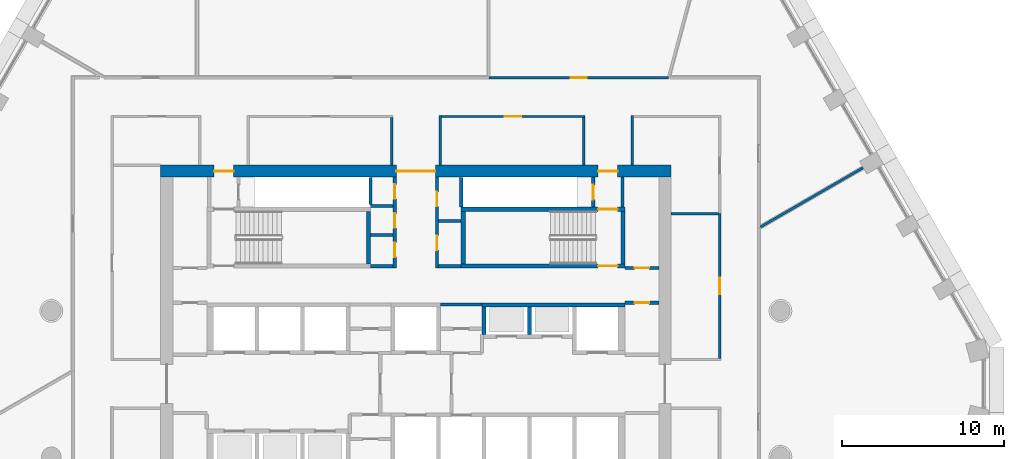
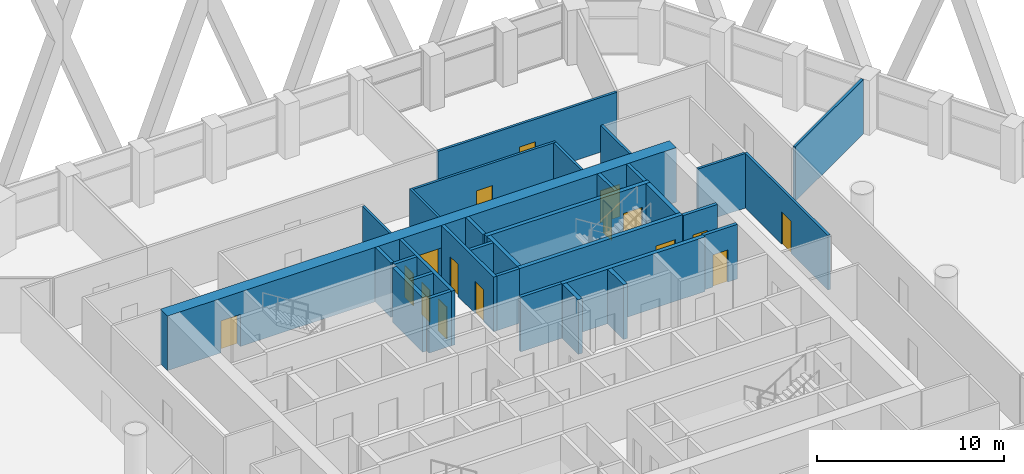
# One storey, part 13 of 24: 32 walls, 16 doors, 16 openings.
"""IFC4 building model written with IfcOpenShell, lengths in metres."""

from ifc_helpers import new_model, si_unit, direction, frame, frame_2d, origin, place, context, subcontext, project, spatial, polyline, rectangle, outline, extrude, material, layer, layer_set, type_object, element, fill, save


model = new_model("IFC4")

# Units and contexts
model_context = context("Model", 3, precision=1e-05, world=origin(), true_north=direction((0.0, 1.0)))
body_context = subcontext(model_context, "Body", "Model", "MODEL_VIEW")
ifc_project = project(units=[si_unit("LENGTHUNIT", "METRE"), si_unit("AREAUNIT", "SQUARE_METRE"), si_unit("VOLUMEUNIT", "CUBIC_METRE"), si_unit("PLANEANGLEUNIT", "RADIAN"), si_unit("MASSUNIT", "GRAM", prefix="KILO")], contexts=[model_context])

# Site, building, storey
site_placement = place(None, origin())
site = spatial("IfcSite", under=ifc_project, at=site_placement, CompositionType="ELEMENT")
building_placement = place(site_placement, origin())
building = spatial("IfcBuilding", under=site, at=building_placement, Name="Dhurran Vertical Campus", CompositionType="ELEMENT")
storey_placement = place(building_placement, frame((0.0, 0.0, 132.60009765625)))
storey = spatial("IfcBuildingStorey", under=building, at=storey_placement, Name="L32", CompositionType="ELEMENT", Elevation=132.60009765625)

# Wall, openings, doors
ifc_material_1 = material(Name="Concrete C60/75", Category="concrete")
ifc_layer_1 = layer(ifc_material_1, 0.75)
ifc_layer_set_1 = layer_set([ifc_layer_1], Name="Concrete C60/75")
wall_type_1 = type_object("IfcWallType", Name="co-CORE-WALL-C1-750", PredefinedType="SHEAR", material=ifc_layer_set_1)
wall_1_placement = place(storey_placement, frame((-15.75, 13.125, 0.0), z_axis=(0.0, 0.0, 1.0), x_axis=(1.0, 0.0, 0.0)))
wall_1 = element("IfcWall", 1, at=wall_1_placement, inside=storey, type_object=wall_type_1, Name="Core wall N L32", PredefinedType="SHEAR", context=body_context, shape_type="SweptSolid", body=[
    extrude(rectangle(XDim=31.5, YDim=0.75, at=frame_2d((15.75, 0.0))), origin(), (0.0, 0.0, 1.0), 3.574951171875),
])
opening_1_placement = place(wall_1_placement, frame((14.550048828125, 0.0, 0.0)))
opening_1 = element("IfcOpeningElement", 2, at=opening_1_placement, cuts=wall_1, Name="Opening CV1", PredefinedType="OPENING", context=body_context, shape_type="SweptSolid", body=[
    extrude(rectangle(XDim=2.39990234375, YDim=2.10009765625, at=frame_2d((1.199951171875, 1.050048828125))), frame((0.0, 0.385009765625, 0.0), z_axis=(0.0, -1.0, 0.0), x_axis=(1.0, 0.0, 0.0)), (0.0, 0.0, 1.0), 0.77001953125),
])
opening_2_placement = place(wall_1_placement, frame((3.300048828125, 0.0, 0.0)))
opening_2 = element("IfcOpeningElement", 3, at=opening_2_placement, cuts=wall_1, Name="Opening XD1", PredefinedType="OPENING", context=body_context, shape_type="SweptSolid", body=[
    extrude(rectangle(XDim=1.199951171875, YDim=2.10009765625, at=frame_2d((0.60009765625, 1.050048828125))), frame((0.0, 0.385009765625, 0.0), z_axis=(0.0, -1.0, 0.0), x_axis=(1.0, 0.0, 0.0)), (0.0, 0.0, 1.0), 0.77001953125),
])
opening_3_placement = place(wall_1_placement, frame((27.0, 0.0, 0.0)))
opening_3 = element("IfcOpeningElement", 4, at=opening_3_placement, cuts=wall_1, Name="Opening XD2", PredefinedType="OPENING", context=body_context, shape_type="SweptSolid", body=[
    extrude(rectangle(XDim=1.199951171875, YDim=2.10009765625, at=frame_2d((0.60009765625, 1.050048828125))), frame((0.0, 0.385009765625, 0.0), z_axis=(0.0, -1.0, 0.0), x_axis=(1.0, 0.0, 0.0)), (0.0, 0.0, 1.0), 0.77001953125),
])
ifc_material_2 = material(Name="Fire-rated glazed door set")
door_type_1 = type_object("IfcDoorType", Name="co-D-LOBBY 2400x2100", OperationType="DOUBLE_DOOR_DOUBLE_SWING", PredefinedType="DOOR", material=ifc_material_2)
door_1_placement = place(opening_1_placement, origin())
door_1 = element("IfcDoor", 5, at=door_1_placement, inside=storey, type_object=door_type_1, Name="Core vestibule door N L32", OperationType="DOUBLE_DOOR_DOUBLE_SWING", OverallHeight=2.10009765625, OverallWidth=2.39990234375, PredefinedType="DOOR", context=body_context, shape_type="SweptSolid", body=[
    extrude(rectangle(XDim=2.39990234375, YDim=2.10009765625, at=frame_2d((1.199951171875, 1.050048828125))), frame((0.0, 0.02490234375, 0.0), z_axis=(0.0, -1.0, 0.0), x_axis=(1.0, 0.0, 0.0)), (0.0, 0.0, 1.0), 0.050048828125),
])
fill(opening_1, door_1)
ifc_material_3 = material(Name="Fire-rated steel door set", Category="steel")
door_type_2 = type_object("IfcDoorType", Name="co-D-STAIR-EXIT 1200x2100", OperationType="SINGLE_SWING_RIGHT", PredefinedType="DOOR", material=ifc_material_3)
door_2_placement = place(opening_2_placement, origin())
door_2 = element("IfcDoor", 6, at=door_2_placement, inside=storey, type_object=door_type_2, Name="Stair ST1 exit door L32", OperationType="SINGLE_SWING_RIGHT", OverallHeight=2.10009765625, OverallWidth=1.199951171875, PredefinedType="DOOR", context=body_context, shape_type="SweptSolid", body=[
    extrude(rectangle(XDim=1.199951171875, YDim=2.10009765625, at=frame_2d((0.60009765625, 1.050048828125))), frame((0.0, 0.02490234375, 0.0), z_axis=(0.0, -1.0, 0.0), x_axis=(1.0, 0.0, 0.0)), (0.0, 0.0, 1.0), 0.050048828125),
])
fill(opening_2, door_2)
door_3_placement = place(opening_3_placement, origin())
door_3 = element("IfcDoor", 7, at=door_3_placement, inside=storey, type_object=door_type_2, Name="Stair ST2 exit door L32", OperationType="SINGLE_SWING_RIGHT", OverallHeight=2.10009765625, OverallWidth=1.199951171875, PredefinedType="DOOR", context=body_context, shape_type="SweptSolid", body=[
    extrude(rectangle(XDim=1.199951171875, YDim=2.10009765625, at=frame_2d((0.60009765625, 1.050048828125))), frame((0.0, 0.02490234375, 0.0), z_axis=(0.0, -1.0, 0.0), x_axis=(1.0, 0.0, 0.0)), (0.0, 0.0, 1.0), 0.050048828125),
])
fill(opening_3, door_3)

# Walls
ifc_material_4 = material(Name="Fire-rated masonry blockwork", Category="masonry")
ifc_layer_2 = layer(ifc_material_4, 0.199951171875)
ifc_layer_set_2 = layer_set([ifc_layer_2], Name="Fire-rated masonry blockwork")
wall_type_2 = type_object("IfcWallType", Name="co-FIRE-PARTITION-200", PredefinedType="PARTITIONING", material=ifc_layer_set_2)
for number, where, z_axis, x_axis, name in (
    (8, (-2.800048828125, 7.25, 0.0), (0.0, 0.0, 1.0), (1.0, 0.0, 0.0), "Core partition sl-NW-S L32"),
    (9, (-2.800048828125, 9.18603515625, 0.0), (0.0, 0.0, 1.0), (1.0, 0.0, 0.0), "Core partition sl-NW-cut0 L32"),
    (10, (-2.800048828125, 10.968017578125, 0.0), (0.0, 0.0, 1.0), (1.0, 0.0, 0.0), "Core partition sl-NW-cut1 L32"),
    (11, (1.39990234375, 7.25, 0.0), (0.0, 0.0, 1.0), (1.0, 0.0, 0.0), "Core partition sl-NE-S L32"),
    (12, (1.39990234375, 10.050048828125, 0.0), (0.0, 0.0, 1.0), (1.0, 0.0, 0.0), "Core partition sl-NE-cut0 L32"),
):
    element("IfcWall", number, at=place(storey_placement, frame(where, z_axis=z_axis, x_axis=x_axis)), inside=storey, type_object=wall_type_2, Name=name, PredefinedType="PARTITIONING", context=body_context, shape_type="SweptSolid", body=[
        extrude(rectangle(XDim=1.400146484375, YDim=0.199951171875, at=frame_2d((0.7001953125, 0.0))), origin(), (0.0, 0.0, 1.0), 3.574951171875),
    ])

# Wall, openings, doors
wall_2_placement = place(storey_placement, frame((-1.300048828125, 7.14990234375, 0.0), z_axis=(0.0, 0.0, 1.0), x_axis=(0.0, 1.0, 0.0)))
wall_2 = element("IfcWall", 13, at=wall_2_placement, inside=storey, type_object=wall_type_2, Name="Core partition vest-NW L32", PredefinedType="PARTITIONING", context=body_context, shape_type="SweptSolid", body=[
    extrude(rectangle(XDim=5.60009765625, YDim=0.199951171875, at=frame_2d((2.800048828125, 0.0))), origin(), (0.0, 0.0, 1.0), 3.574951171875),
])
opening_4_placement = place(wall_2_placement, frame((0.66796875, 0.0, 0.0)))
opening_4 = element("IfcOpeningElement", 14, at=opening_4_placement, cuts=wall_2, Name="Opening T09-C6", PredefinedType="OPENING", context=body_context, shape_type="SweptSolid", body=[
    extrude(rectangle(XDim=0.89990234375, YDim=2.10009765625, at=frame_2d((0.449951171875, 1.050048828125))), frame((0.0, 0.10986328125, 0.0), z_axis=(0.0, -1.0, 0.0), x_axis=(1.0, 0.0, 0.0)), (0.0, 0.0, 1.0), 0.219970703125),
])
opening_5_placement = place(wall_2_placement, frame((2.47705078125, 0.0, 0.0)))
opening_5 = element("IfcOpeningElement", 15, at=opening_5_placement, cuts=wall_2, Name="Opening T09-C7", PredefinedType="OPENING", context=body_context, shape_type="SweptSolid", body=[
    extrude(rectangle(XDim=0.89990234375, YDim=2.10009765625, at=frame_2d((0.449951171875, 1.050048828125))), frame((0.0, 0.10986328125, 0.0), z_axis=(0.0, -1.0, 0.0), x_axis=(1.0, 0.0, 0.0)), (0.0, 0.0, 1.0), 0.219970703125),
])
opening_6_placement = place(wall_2_placement, frame((4.259033203125, 0.0, 0.0)))
opening_6 = element("IfcOpeningElement", 16, at=opening_6_placement, cuts=wall_2, Name="Opening T09-C8", PredefinedType="OPENING", context=body_context, shape_type="SweptSolid", body=[
    extrude(rectangle(XDim=0.89990234375, YDim=2.10009765625, at=frame_2d((0.449951171875, 1.050048828125))), frame((0.0, 0.10986328125, 0.0), z_axis=(0.0, -1.0, 0.0), x_axis=(1.0, 0.0, 0.0)), (0.0, 0.0, 1.0), 0.219970703125),
])
ifc_material_5 = material(Name="Fire-rated timber door set", Category="wood")
door_type_3 = type_object("IfcDoorType", Name="co-D-ROOM 900x2100", OperationType="SINGLE_SWING_LEFT", PredefinedType="DOOR", material=ifc_material_5)
door_4_placement = place(opening_4_placement, origin())
door_4 = element("IfcDoor", 17, at=door_4_placement, inside=storey, type_object=door_type_3, Name="Cleaner's store door L32", OperationType="SINGLE_SWING_LEFT", OverallHeight=2.10009765625, OverallWidth=0.89990234375, PredefinedType="DOOR", context=body_context, shape_type="SweptSolid", body=[
    extrude(rectangle(XDim=0.89990234375, YDim=2.10009765625, at=frame_2d((0.449951171875, 1.050048828125))), frame((0.0, 0.02490234375, 0.0), z_axis=(0.0, -1.0, 0.0), x_axis=(1.0, 0.0, 0.0)), (0.0, 0.0, 1.0), 0.050048828125),
])
fill(opening_4, door_4)
door_5_placement = place(opening_5_placement, origin())
door_5 = element("IfcDoor", 18, at=door_5_placement, inside=storey, type_object=door_type_3, Name="Store door L32", OperationType="SINGLE_SWING_LEFT", OverallHeight=2.10009765625, OverallWidth=0.89990234375, PredefinedType="DOOR", context=body_context, shape_type="SweptSolid", body=[
    extrude(rectangle(XDim=0.89990234375, YDim=2.10009765625, at=frame_2d((0.449951171875, 1.050048828125))), frame((0.0, 0.02490234375, 0.0), z_axis=(0.0, -1.0, 0.0), x_axis=(1.0, 0.0, 0.0)), (0.0, 0.0, 1.0), 0.050048828125),
])
fill(opening_5, door_5)
door_6_placement = place(opening_6_placement, origin())
door_6 = element("IfcDoor", 19, at=door_6_placement, inside=storey, type_object=door_type_3, Name="Housekeeping store door L32", OperationType="SINGLE_SWING_LEFT", OverallHeight=2.10009765625, OverallWidth=0.89990234375, PredefinedType="DOOR", context=body_context, shape_type="SweptSolid", body=[
    extrude(rectangle(XDim=0.89990234375, YDim=2.10009765625, at=frame_2d((0.449951171875, 1.050048828125))), frame((0.0, 0.02490234375, 0.0), z_axis=(0.0, -1.0, 0.0), x_axis=(1.0, 0.0, 0.0)), (0.0, 0.0, 1.0), 0.050048828125),
])
fill(opening_6, door_6)

wall_3_placement = place(storey_placement, frame((1.300048828125, 7.14990234375, 0.0), z_axis=(0.0, 0.0, 1.0), x_axis=(0.0, 1.0, 0.0)))
wall_3 = element("IfcWall", 20, at=wall_3_placement, inside=storey, type_object=wall_type_2, Name="Core partition vest-NE L32", PredefinedType="PARTITIONING", context=body_context, shape_type="SweptSolid", body=[
    extrude(rectangle(XDim=5.60009765625, YDim=0.199951171875, at=frame_2d((2.800048828125, 0.0))), origin(), (0.0, 0.0, 1.0), 3.574951171875),
])
opening_7_placement = place(wall_3_placement, frame((1.10009765625, 0.0, 0.0)))
opening_7 = element("IfcOpeningElement", 21, at=opening_7_placement, cuts=wall_3, Name="Opening T09-C9", PredefinedType="OPENING", context=body_context, shape_type="SweptSolid", body=[
    extrude(rectangle(XDim=0.89990234375, YDim=2.10009765625, at=frame_2d((0.449951171875, 1.050048828125))), frame((0.0, 0.10986328125, 0.0), z_axis=(0.0, -1.0, 0.0), x_axis=(1.0, 0.0, 0.0)), (0.0, 0.0, 1.0), 0.219970703125),
])
opening_8_placement = place(wall_3_placement, frame((3.800048828125, 0.0, 0.0)))
opening_8 = element("IfcOpeningElement", 22, at=opening_8_placement, cuts=wall_3, Name="Opening T09-C10", PredefinedType="OPENING", context=body_context, shape_type="SweptSolid", body=[
    extrude(rectangle(XDim=0.89990234375, YDim=2.10009765625, at=frame_2d((0.449951171875, 1.050048828125))), frame((0.0, 0.10986328125, 0.0), z_axis=(0.0, -1.0, 0.0), x_axis=(1.0, 0.0, 0.0)), (0.0, 0.0, 1.0), 0.219970703125),
])
door_7_placement = place(opening_7_placement, origin())
door_7 = element("IfcDoor", 23, at=door_7_placement, inside=storey, type_object=door_type_3, Name="Water riser door L32", OperationType="SINGLE_SWING_LEFT", OverallHeight=2.10009765625, OverallWidth=0.89990234375, PredefinedType="DOOR", context=body_context, shape_type="SweptSolid", body=[
    extrude(rectangle(XDim=0.89990234375, YDim=2.10009765625, at=frame_2d((0.449951171875, 1.050048828125))), frame((0.0, 0.02490234375, 0.0), z_axis=(0.0, -1.0, 0.0), x_axis=(1.0, 0.0, 0.0)), (0.0, 0.0, 1.0), 0.050048828125),
])
fill(opening_7, door_7)
door_8_placement = place(opening_8_placement, origin())
door_8 = element("IfcDoor", 24, at=door_8_placement, inside=storey, type_object=door_type_3, Name="Plant room door L32", OperationType="SINGLE_SWING_LEFT", OverallHeight=2.10009765625, OverallWidth=0.89990234375, PredefinedType="DOOR", context=body_context, shape_type="SweptSolid", body=[
    extrude(rectangle(XDim=0.89990234375, YDim=2.10009765625, at=frame_2d((0.449951171875, 1.050048828125))), frame((0.0, 0.02490234375, 0.0), z_axis=(0.0, -1.0, 0.0), x_axis=(1.0, 0.0, 0.0)), (0.0, 0.0, 1.0), 0.050048828125),
])
fill(opening_8, door_8)

# Wall
wall_4_placement = place(storey_placement, frame((12.75, 10.89990234375, 0.0), z_axis=(0.0, 0.0, 1.0), x_axis=(0.0, 1.0, 0.0)))
element("IfcWall", 25, at=wall_4_placement, inside=storey, type_object=wall_type_2, Name="Core partition pass-ST2-o L32", PredefinedType="PARTITIONING", context=body_context, shape_type="SweptSolid", body=[
    extrude(rectangle(XDim=1.85009765625, YDim=0.199951171875, at=frame_2d((0.925048828125, 0.0))), origin(), (0.0, 0.0, 1.0), 3.574951171875),
])

# Wall, opening, door
wall_5_placement = place(storey_placement, frame((10.949951171875, 10.89990234375, 0.0), z_axis=(0.0, 0.0, 1.0), x_axis=(0.0, 1.0, 0.0)))
wall_5 = element("IfcWall", 26, at=wall_5_placement, inside=storey, type_object=wall_type_2, Name="Core partition pass-ST2-i L32", PredefinedType="PARTITIONING", context=body_context, shape_type="SweptSolid", body=[
    extrude(rectangle(XDim=1.85009765625, YDim=0.199951171875, at=frame_2d((0.925048828125, 0.0))), origin(), (0.0, 0.0, 1.0), 3.574951171875),
])
opening_9_placement = place(wall_5_placement, frame((0.47509765625, 0.0, 0.0)))
opening_9 = element("IfcOpeningElement", 27, at=opening_9_placement, cuts=wall_5, Name="Opening T09-C12", PredefinedType="OPENING", context=body_context, shape_type="SweptSolid", body=[
    extrude(rectangle(XDim=0.89990234375, YDim=2.10009765625, at=frame_2d((0.449951171875, 1.050048828125))), frame((0.0, 0.10986328125, 0.0), z_axis=(0.0, -1.0, 0.0), x_axis=(1.0, 0.0, 0.0)), (0.0, 0.0, 1.0), 0.219970703125),
])
door_9_placement = place(opening_9_placement, origin())
door_9 = element("IfcDoor", 28, at=door_9_placement, inside=storey, type_object=door_type_3, Name="Riser room door L32", OperationType="SINGLE_SWING_LEFT", OverallHeight=2.10009765625, OverallWidth=0.89990234375, PredefinedType="DOOR", context=body_context, shape_type="SweptSolid", body=[
    extrude(rectangle(XDim=0.89990234375, YDim=2.10009765625, at=frame_2d((0.449951171875, 1.050048828125))), frame((0.0, 0.02490234375, 0.0), z_axis=(0.0, -1.0, 0.0), x_axis=(1.0, 0.0, 0.0)), (0.0, 0.0, 1.0), 0.050048828125),
])
fill(opening_9, door_9)

wall_6_placement = place(storey_placement, frame((12.89990234375, 7.14990234375, 0.0), z_axis=(0.0, 0.0, 1.0), x_axis=(1.0, 0.0, 0.0)))
wall_6 = element("IfcWall", 29, at=wall_6_placement, inside=storey, type_object=wall_type_2, Name="Core partition en-NE-w L32", PredefinedType="PARTITIONING", context=body_context, shape_type="SweptSolid", body=[
    extrude(rectangle(XDim=2.10009765625, YDim=0.199951171875, at=frame_2d((1.050048828125, 0.0))), origin(), (0.0, 0.0, 1.0), 3.574951171875),
])
opening_10_placement = place(wall_6_placement, frame((0.60009765625, 0.0, 0.0)))
opening_10 = element("IfcOpeningElement", 30, at=opening_10_placement, cuts=wall_6, Name="Opening T09-C17", PredefinedType="OPENING", context=body_context, shape_type="SweptSolid", body=[
    extrude(rectangle(XDim=0.89990234375, YDim=2.10009765625, at=frame_2d((0.449951171875, 1.050048828125))), frame((0.0, 0.10986328125, 0.0), z_axis=(0.0, -1.0, 0.0), x_axis=(1.0, 0.0, 0.0)), (0.0, 0.0, 1.0), 0.219970703125),
])
door_10_placement = place(opening_10_placement, origin())
door_10 = element("IfcDoor", 31, at=door_10_placement, inside=storey, type_object=door_type_3, Name="Server room door L32", OperationType="SINGLE_SWING_LEFT", OverallHeight=2.10009765625, OverallWidth=0.89990234375, PredefinedType="DOOR", context=body_context, shape_type="SweptSolid", body=[
    extrude(rectangle(XDim=0.89990234375, YDim=2.10009765625, at=frame_2d((0.449951171875, 1.050048828125))), frame((0.0, 0.02490234375, 0.0), z_axis=(0.0, -1.0, 0.0), x_axis=(1.0, 0.0, 0.0)), (0.0, 0.0, 1.0), 0.050048828125),
])
fill(opening_10, door_10)

wall_7_placement = place(storey_placement, frame((12.89990234375, 5.0, 0.0), z_axis=(0.0, 0.0, 1.0), x_axis=(1.0, 0.0, 0.0)))
wall_7 = element("IfcWall", 32, at=wall_7_placement, inside=storey, type_object=wall_type_2, Name="Core partition es-NE-w L32", PredefinedType="PARTITIONING", context=body_context, shape_type="SweptSolid", body=[
    extrude(rectangle(XDim=2.10009765625, YDim=0.199951171875, at=frame_2d((1.050048828125, 0.0))), origin(), (0.0, 0.0, 1.0), 3.574951171875),
])
opening_11_placement = place(wall_7_placement, frame((0.60009765625, 0.0, 0.0)))
opening_11 = element("IfcOpeningElement", 33, at=opening_11_placement, cuts=wall_7, Name="Opening T09-C18", PredefinedType="OPENING", context=body_context, shape_type="SweptSolid", body=[
    extrude(rectangle(XDim=0.89990234375, YDim=2.10009765625, at=frame_2d((0.449951171875, 1.050048828125))), frame((0.0, 0.10986328125, 0.0), z_axis=(0.0, -1.0, 0.0), x_axis=(1.0, 0.0, 0.0)), (0.0, 0.0, 1.0), 0.219970703125),
])
door_11_placement = place(opening_11_placement, origin())
door_11 = element("IfcDoor", 34, at=door_11_placement, inside=storey, type_object=door_type_3, Name="Communications room door L32", OperationType="SINGLE_SWING_LEFT", OverallHeight=2.10009765625, OverallWidth=0.89990234375, PredefinedType="DOOR", context=body_context, shape_type="SweptSolid", body=[
    extrude(rectangle(XDim=0.89990234375, YDim=2.10009765625, at=frame_2d((0.449951171875, 1.050048828125))), frame((0.0, 0.02490234375, 0.0), z_axis=(0.0, -1.0, 0.0), x_axis=(1.0, 0.0, 0.0)), (0.0, 0.0, 1.0), 0.050048828125),
])
fill(opening_11, door_11)

# Walls
wall_8_placement = place(storey_placement, frame((1.52490234375, 4.89990234375, 0.0), z_axis=(0.0, 0.0, 1.0), x_axis=(1.0, 0.0, 0.0)))
element("IfcWall", 35, at=wall_8_placement, inside=storey, type_object=wall_type_2, Name="Core partition fr-N1-b L32", PredefinedType="PARTITIONING", context=body_context, shape_type="SweptSolid", body=[
    extrude(rectangle(XDim=2.550048828125, YDim=0.199951171875, at=frame_2d((1.27490234375, 0.0))), origin(), (0.0, 0.0, 1.0), 3.574951171875),
])
wall_9_placement = place(storey_placement, frame((-2.800048828125, 11.069091796875, 0.0), z_axis=(0.0, 0.0, 1.0), x_axis=(0.0, 1.0, 0.0)))
element("IfcWall", 36, at=wall_9_placement, inside=storey, type_object=wall_type_2, Name="Riser enclosure wall L32", PredefinedType="PARTITIONING", context=body_context, shape_type="SweptSolid", body=[
    extrude(rectangle(XDim=1.679931640625, YDim=0.199951171875, at=frame_2d((0.83984375, 0.0))), origin(), (0.0, 0.0, 1.0), 3.574951171875),
])
wall_10_placement = place(storey_placement, frame((2.800048828125, 12.7490234375, 0.0), z_axis=(0.0, 0.0, 1.0), x_axis=(0.0, -1.0, 0.0)))
element("IfcWall", 37, at=wall_10_placement, inside=storey, type_object=wall_type_2, Name="Riser enclosure wall L32", PredefinedType="PARTITIONING", context=body_context, shape_type="SweptSolid", body=[
    extrude(rectangle(XDim=1.84814453125, YDim=0.199951171875, at=frame_2d((0.924072265625, 0.0))), origin(), (0.0, 0.0, 1.0), 3.574951171875),
])
ifc_material_6 = material(Name="Concrete C50/60", Category="concrete")
ifc_layer_3 = layer(ifc_material_6, 0.25)
ifc_layer_set_3 = layer_set([ifc_layer_3], Name="Concrete C50/60")
wall_type_3 = type_object("IfcWallType", Name="co-SHAFT-MASS-250", PredefinedType="SHEAR", material=ifc_layer_set_3)
wall_11_placement = place(storey_placement, origin())
element("IfcWall", 38, at=wall_11_placement, inside=storey, type_object=wall_type_3, Name="Lift shaft wall N L32 3", PredefinedType="SHEAR", context=body_context, shape_type="SweptSolid", body=[
    extrude(outline(polyline([(4.074951171875, 4.75), (12.89990234375, 4.75), (12.89990234375, 5.0), (4.074951171875, 5.0), (4.074951171875, 4.75)])), origin(), (0.0, 0.0, 1.0), 3.574951171875),
])
wall_12_placement = place(storey_placement, origin())
element("IfcWall", 39, at=wall_12_placement, inside=storey, type_object=wall_type_3, Name="Lift shaft wall N L32 12", PredefinedType="SHEAR", context=body_context, shape_type="SweptSolid", body=[
    extrude(outline(polyline([(4.074951171875, 3.050048828125), (4.324951171875, 3.050048828125), (4.324951171875, 4.75), (4.074951171875, 4.75), (4.074951171875, 3.050048828125)])), origin(), (0.0, 0.0, 1.0), 3.574951171875),
])
wall_13_placement = place(storey_placement, origin())
element("IfcWall", 40, at=wall_13_placement, inside=storey, type_object=wall_type_3, Name="Lift shaft wall N L32 13", PredefinedType="SHEAR", context=body_context, shape_type="SweptSolid", body=[
    extrude(outline(polyline([(6.875, 3.050048828125), (7.125, 3.050048828125), (7.125, 4.75), (6.875, 4.75), (6.875, 3.050048828125)])), origin(), (0.0, 0.0, 1.0), 3.574951171875),
])
ifc_material_7 = material(Name="Concrete C40/50", Category="concrete")
ifc_layer_4 = layer(ifc_material_7, 0.25)
ifc_layer_set_4 = layer_set([ifc_layer_4], Name="Concrete C40/50")
wall_type_4 = type_object("IfcWallType", Name="co-STAIR-WALL-250", PredefinedType="SHEAR", material=ifc_layer_set_4)
wall_14_placement = place(storey_placement, frame((-2.925048828125, 7.39990234375, 0.0), z_axis=(0.0, 0.0, 1.0), x_axis=(0.0, 1.0, 0.0)))
element("IfcWall", 41, at=wall_14_placement, inside=storey, type_object=wall_type_4, Name="Stair ST1 enclosure wall L32", PredefinedType="SHEAR", context=body_context, shape_type="SweptSolid", body=[
    extrude(rectangle(XDim=3.25, YDim=0.25, at=frame_2d((1.625, 0.0))), origin(), (0.0, 0.0, 1.0), 3.574951171875),
])

# Wall, opening, door
wall_15_placement = place(storey_placement, frame((2.800048828125, 7.27490234375, 0.0), z_axis=(0.0, 0.0, 1.0), x_axis=(1.0, 0.0, 0.0)))
wall_15 = element("IfcWall", 42, at=wall_15_placement, inside=storey, type_object=wall_type_4, Name="Stair ST2 enclosure wall L32", PredefinedType="SHEAR", context=body_context, shape_type="SweptSolid", body=[
    extrude(rectangle(XDim=10.099853515625, YDim=0.25, at=frame_2d((5.0498046875, 0.0))), origin(), (0.0, 0.0, 1.0), 3.574951171875),
])
opening_12_placement = place(wall_15_placement, frame((8.449951171875, 0.0, 0.0)))
opening_12 = element("IfcOpeningElement", 43, at=opening_12_placement, cuts=wall_15, Name="Opening SD2", PredefinedType="OPENING", context=body_context, shape_type="SweptSolid", body=[
    extrude(rectangle(XDim=1.199951171875, YDim=2.10009765625, at=frame_2d((0.60009765625, 1.050048828125))), frame((0.0, 0.135009765625, 0.0), z_axis=(0.0, -1.0, 0.0), x_axis=(1.0, 0.0, 0.0)), (0.0, 0.0, 1.0), 0.27001953125),
])
ifc_material_8 = material(Name="Fire-rated steel door set", Category="steel")
door_type_4 = type_object("IfcDoorType", Name="co-D-STAIR 1200x2100", OperationType="SINGLE_SWING_LEFT", PredefinedType="DOOR", material=ifc_material_8)
door_12_placement = place(opening_12_placement, origin())
door_12 = element("IfcDoor", 44, at=door_12_placement, inside=storey, type_object=door_type_4, Name="Stair ST2 door L32", OperationType="SINGLE_SWING_LEFT", OverallHeight=2.10009765625, OverallWidth=1.199951171875, PredefinedType="DOOR", context=body_context, shape_type="SweptSolid", body=[
    extrude(rectangle(XDim=1.199951171875, YDim=2.10009765625, at=frame_2d((0.60009765625, 1.050048828125))), frame((0.0, 0.02490234375, 0.0), z_axis=(0.0, -1.0, 0.0), x_axis=(1.0, 0.0, 0.0)), (0.0, 0.0, 1.0), 0.050048828125),
])
fill(opening_12, door_12)

wall_16_placement = place(storey_placement, frame((2.800048828125, 10.77490234375, 0.0), z_axis=(0.0, 0.0, 1.0), x_axis=(1.0, 0.0, 0.0)))
wall_16 = element("IfcWall", 45, at=wall_16_placement, inside=storey, type_object=wall_type_4, Name="Stair ST2 enclosure wall L32", PredefinedType="SHEAR", context=body_context, shape_type="SweptSolid", body=[
    extrude(rectangle(XDim=10.099853515625, YDim=0.25, at=frame_2d((5.0498046875, 0.0))), origin(), (0.0, 0.0, 1.0), 3.574951171875),
])
opening_13_placement = place(wall_16_placement, frame((8.449951171875, 0.0, 0.0)))
opening_13 = element("IfcOpeningElement", 46, at=opening_13_placement, cuts=wall_16, Name="Opening XS2", PredefinedType="OPENING", context=body_context, shape_type="SweptSolid", body=[
    extrude(rectangle(XDim=1.199951171875, YDim=2.10009765625, at=frame_2d((0.60009765625, 1.050048828125))), frame((0.0, 0.135009765625, 0.0), z_axis=(0.0, -1.0, 0.0), x_axis=(1.0, 0.0, 0.0)), (0.0, 0.0, 1.0), 0.27001953125),
])
door_13_placement = place(opening_13_placement, origin())
door_13 = element("IfcDoor", 47, at=door_13_placement, inside=storey, type_object=door_type_2, Name="Stair ST2 discharge door L32", OperationType="SINGLE_SWING_RIGHT", OverallHeight=2.10009765625, OverallWidth=1.199951171875, PredefinedType="DOOR", context=body_context, shape_type="SweptSolid", body=[
    extrude(rectangle(XDim=1.199951171875, YDim=2.10009765625, at=frame_2d((0.60009765625, 1.050048828125))), frame((0.0, 0.02490234375, 0.0), z_axis=(0.0, -1.0, 0.0), x_axis=(1.0, 0.0, 0.0)), (0.0, 0.0, 1.0), 0.050048828125),
])
fill(opening_13, door_13)

# Walls
for number, where, z_axis, x_axis, name in (
    (48, (2.925048828125, 7.39990234375, 0.0), (0.0, 0.0, 1.0), (0.0, 1.0, 0.0), "Stair ST2 enclosure wall L32"),
    (49, (12.77490234375, 7.39990234375, 0.0), (0.0, 0.0, 1.0), (0.0, 1.0, 0.0), "Stair ST2 enclosure wall L32"),
):
    element("IfcWall", number, at=place(storey_placement, frame(where, z_axis=z_axis, x_axis=x_axis)), inside=storey, type_object=wall_type_4, Name=name, PredefinedType="SHEAR", context=body_context, shape_type="SweptSolid", body=[
        extrude(rectangle(XDim=3.25, YDim=0.25, at=frame_2d((1.625, 0.0))), origin(), (0.0, 0.0, 1.0), 3.574951171875),
    ])
ifc_material_9 = material(Name="Gypsum board corridor wall on steel studs", Category="steel")
ifc_layer_5 = layer(ifc_material_9, 0.14990234375)
ifc_layer_set_5 = layer_set([ifc_layer_5], Name="Gypsum board corridor wall on steel studs")
wall_type_5 = type_object("IfcWallType", Name="fl-CW-150 corridor wall", PredefinedType="PARTITIONING", material=ifc_layer_set_5)
wall_17_placement = place(storey_placement, frame((-1.5, 16.425048828125, 0.0), z_axis=(0.0, 0.0, 1.0), x_axis=(0.0, -1.0, 0.0)))
element("IfcWall", 50, at=wall_17_placement, inside=storey, type_object=wall_type_5, Name="Partition 32-33", PredefinedType="PARTITIONING", context=body_context, shape_type="SweptSolid", body=[
    extrude(rectangle(XDim=2.925048828125, YDim=0.14990234375, at=frame_2d((1.46240234375, 0.0))), origin(), (0.0, 0.0, 1.0), 3.574951171875),
])
wall_18_placement = place(storey_placement, frame((1.5, 13.5, 0.0), z_axis=(0.0, 0.0, 1.0), x_axis=(0.0, 1.0, 0.0)))
element("IfcWall", 51, at=wall_18_placement, inside=storey, type_object=wall_type_5, Name="Partition 32-36", PredefinedType="PARTITIONING", context=body_context, shape_type="SweptSolid", body=[
    extrude(rectangle(XDim=3.074951171875, YDim=0.14990234375, at=frame_2d((1.53759765625, 0.0))), origin(), (0.0, 0.0, 1.0), 3.574951171875),
])

# Wall, opening, door
wall_19_placement = place(storey_placement, frame((1.574951171875, 16.5, 0.0), z_axis=(0.0, 0.0, 1.0), x_axis=(1.0, 0.0, 0.0)))
wall_19 = element("IfcWall", 52, at=wall_19_placement, inside=storey, type_object=wall_type_5, Name="Partition 32-37", PredefinedType="PARTITIONING", context=body_context, shape_type="SweptSolid", body=[
    extrude(rectangle(XDim=8.85009765625, YDim=0.14990234375, at=frame_2d((4.425048828125, 0.0))), origin(), (0.0, 0.0, 1.0), 3.574951171875),
])
opening_14_placement = place(wall_19_placement, frame((3.925048828125, 0.0, 0.0)))
opening_14 = element("IfcOpeningElement", 53, at=opening_14_placement, cuts=wall_19, Name="Opening T09.15", PredefinedType="OPENING", context=body_context, shape_type="SweptSolid", body=[
    extrude(rectangle(XDim=1.0, YDim=2.10009765625, at=frame_2d((0.5, 1.050048828125))), frame((0.0, 0.0849609375, 0.0), z_axis=(0.0, -1.0, 0.0), x_axis=(1.0, 0.0, 0.0)), (0.0, 0.0, 1.0), 0.169921875),
])
ifc_material_10 = material(Name="Solid-core timber door set, fire-rated", Category="wood")
door_type_5 = type_object("IfcDoorType", Name="fl-D-1000x2100", OperationType="SINGLE_SWING_LEFT", PredefinedType="DOOR", material=ifc_material_10)
door_14_placement = place(opening_14_placement, origin())
door_14 = element("IfcDoor", 54, at=door_14_placement, inside=storey, type_object=door_type_5, Name="Door 32.15", OperationType="SINGLE_SWING_RIGHT", OverallHeight=2.10009765625, OverallWidth=1.0, PredefinedType="DOOR", context=body_context, shape_type="SweptSolid", body=[
    extrude(rectangle(XDim=1.0, YDim=2.10009765625, at=frame_2d((0.5, 1.050048828125))), frame((0.0, 0.02490234375, 0.0), z_axis=(0.0, -1.0, 0.0), x_axis=(1.0, 0.0, 0.0)), (0.0, 0.0, 1.0), 0.050048828125),
])
fill(opening_14, door_14)

wall_20_placement = place(storey_placement, frame((15.593017578125, 18.89990234375, 0.0), z_axis=(0.0, 0.0, 1.0), x_axis=(-1.0, 0.0, 0.0)))
wall_20 = element("IfcWall", 55, at=wall_20_placement, inside=storey, type_object=wall_type_5, Name="Partition 32-39", PredefinedType="PARTITIONING", context=body_context, shape_type="SweptSolid", body=[
    extrude(rectangle(XDim=11.093017578125, YDim=0.14990234375, at=frame_2d((5.54638671875, 0.0))), origin(), (0.0, 0.0, 1.0), 3.574951171875),
])
opening_15_placement = place(wall_20_placement, frame((5.04638671875, 0.0, 0.0)))
opening_15 = element("IfcOpeningElement", 56, at=opening_15_placement, cuts=wall_20, Name="Opening T09.16", PredefinedType="OPENING", context=body_context, shape_type="SweptSolid", body=[
    extrude(rectangle(XDim=1.0, YDim=2.10009765625, at=frame_2d((0.5, 1.050048828125))), frame((0.0, 0.0849609375, 0.0), z_axis=(0.0, -1.0, 0.0), x_axis=(1.0, 0.0, 0.0)), (0.0, 0.0, 1.0), 0.169921875),
])
door_15_placement = place(opening_15_placement, origin())
door_15 = element("IfcDoor", 57, at=door_15_placement, inside=storey, type_object=door_type_5, Name="Door 32.16", OperationType="SINGLE_SWING_LEFT", OverallHeight=2.10009765625, OverallWidth=1.0, PredefinedType="DOOR", context=body_context, shape_type="SweptSolid", body=[
    extrude(rectangle(XDim=1.0, YDim=2.10009765625, at=frame_2d((0.5, 1.050048828125))), frame((0.0, 0.02490234375, 0.0), z_axis=(0.0, -1.0, 0.0), x_axis=(1.0, 0.0, 0.0)), (0.0, 0.0, 1.0), 0.050048828125),
])
fill(opening_15, door_15)

# Walls
wall_21_placement = place(storey_placement, frame((10.35009765625, 16.425048828125, 0.0), z_axis=(0.0, 0.0, 1.0), x_axis=(0.0, -1.0, 0.0)))
element("IfcWall", 58, at=wall_21_placement, inside=storey, type_object=wall_type_5, Name="Partition 32-41", PredefinedType="PARTITIONING", context=body_context, shape_type="SweptSolid", body=[
    extrude(rectangle(XDim=2.925048828125, YDim=0.14990234375, at=frame_2d((1.46240234375, 0.0))), origin(), (0.0, 0.0, 1.0), 3.574951171875),
])
wall_22_placement = place(storey_placement, frame((13.35009765625, 13.5, 0.0), z_axis=(0.0, 0.0, 1.0), x_axis=(0.0, 1.0, 0.0)))
element("IfcWall", 59, at=wall_22_placement, inside=storey, type_object=wall_type_5, Name="Partition 32-44", PredefinedType="PARTITIONING", context=body_context, shape_type="SweptSolid", body=[
    extrude(rectangle(XDim=3.074951171875, YDim=0.14990234375, at=frame_2d((1.53759765625, 0.0))), origin(), (0.0, 0.0, 1.0), 3.574951171875),
])

# Wall, opening, door
wall_23_placement = place(storey_placement, frame((18.75, 10.5, 0.0), z_axis=(0.0, 0.0, 1.0), x_axis=(0.0, -1.0, 0.0)))
wall_23 = element("IfcWall", 60, at=wall_23_placement, inside=storey, type_object=wall_type_5, Name="Partition 32-56", PredefinedType="PARTITIONING", context=body_context, shape_type="SweptSolid", body=[
    extrude(rectangle(XDim=8.925048828125, YDim=0.14990234375, at=frame_2d((4.46240234375, 0.0))), origin(), (0.0, 0.0, 1.0), 3.574951171875),
])
opening_16_placement = place(wall_23_placement, frame((3.96240234375, 0.0, 0.0)))
opening_16 = element("IfcOpeningElement", 61, at=opening_16_placement, cuts=wall_23, Name="Opening T09.20", PredefinedType="OPENING", context=body_context, shape_type="SweptSolid", body=[
    extrude(rectangle(XDim=1.0, YDim=2.10009765625, at=frame_2d((0.5, 1.050048828125))), frame((0.0, 0.0849609375, 0.0), z_axis=(0.0, -1.0, 0.0), x_axis=(1.0, 0.0, 0.0)), (0.0, 0.0, 1.0), 0.169921875),
])
door_16_placement = place(opening_16_placement, origin())
door_16 = element("IfcDoor", 62, at=door_16_placement, inside=storey, type_object=door_type_5, Name="Door 32.20", OperationType="SINGLE_SWING_RIGHT", OverallHeight=2.10009765625, OverallWidth=1.0, PredefinedType="DOOR", context=body_context, shape_type="SweptSolid", body=[
    extrude(rectangle(XDim=1.0, YDim=2.10009765625, at=frame_2d((0.5, 1.050048828125))), frame((0.0, 0.02490234375, 0.0), z_axis=(0.0, -1.0, 0.0), x_axis=(1.0, 0.0, 0.0)), (0.0, 0.0, 1.0), 0.050048828125),
])
fill(opening_16, door_16)

# Walls
ifc_material_11 = material(Name="Gypsum board partition on steel studs", Category="steel")
ifc_layer_6 = layer(ifc_material_11, 0.14990234375)
ifc_layer_set_6 = layer_set([ifc_layer_6], Name="Gypsum board partition on steel studs")
wall_type_6 = type_object("IfcWallType", Name="fl-PW-150 fixed partition", PredefinedType="PARTITIONING", material=ifc_layer_set_6)
wall_24_placement = place(storey_placement, frame((18.675048828125, 10.5, 0.0), z_axis=(0.0, 0.0, 1.0), x_axis=(-1.0, 0.0, 0.0)))
element("IfcWall", 63, at=wall_24_placement, inside=storey, type_object=wall_type_6, Name="Partition 32-53", PredefinedType="PARTITIONING", context=body_context, shape_type="SweptSolid", body=[
    extrude(rectangle(XDim=2.925048828125, YDim=0.14990234375, at=frame_2d((1.46240234375, 0.0))), origin(), (0.0, 0.0, 1.0), 3.574951171875),
])
wall_25_placement = place(storey_placement, frame((27.590576171875, 13.331298828125, 0.0), z_axis=(0.0, 0.0, 1.0), x_axis=(-0.866030346483, -0.499991438897, 0.0)))
element("IfcWall", 64, at=wall_25_placement, inside=storey, type_object=wall_type_6, Name="Partition 32-62", PredefinedType="PARTITIONING", context=body_context, shape_type="SweptSolid", body=[
    extrude(rectangle(XDim=7.306884765625, YDim=0.14990234375, at=frame_2d((3.6533203125, 0.0))), origin(), (0.0, 0.0, 1.0), 3.574951171875),
])

save(model, "model.ifc")
